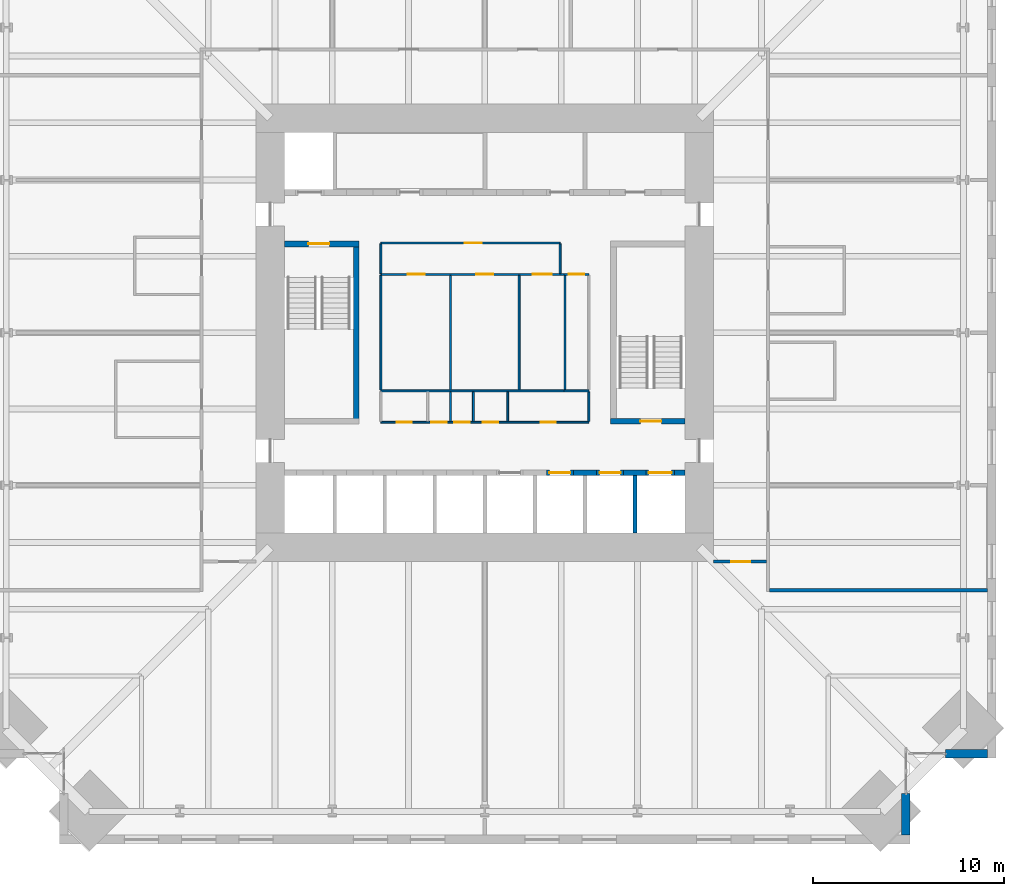
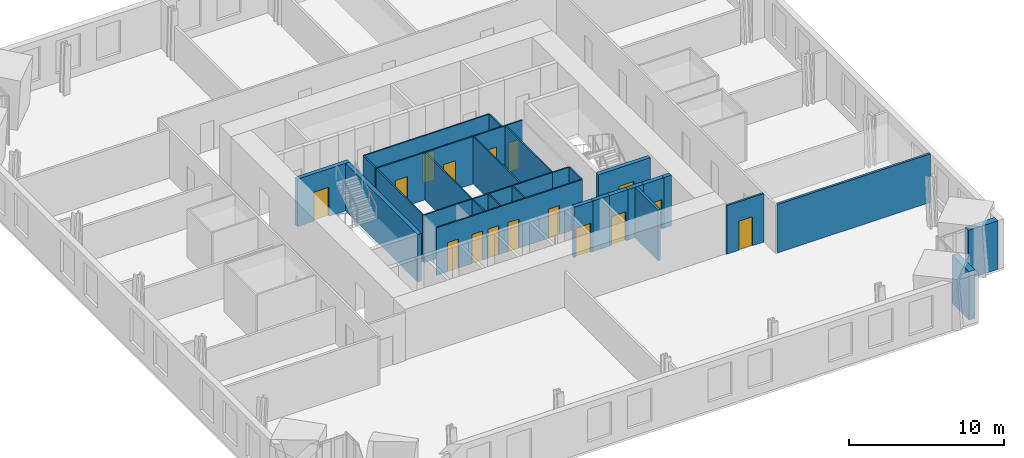
# One storey, part 13 of 17: 30 walls, 16 doors, 16 openings.
"""IFC4 building model written with IfcOpenShell, lengths in metres."""

from ifc_helpers import new_model, si_unit, direction, frame, frame_2d, origin, place, context, subcontext, project, spatial, rectangle, extrude, material, layer, layer_set, type_object, element, fill, save


model = new_model("IFC4")

# Units and contexts
model_context = context("Model", 3, precision=1e-05, world=origin(), true_north=direction((0.0, 1.0)))
body_context = subcontext(model_context, "Body", "Model", "MODEL_VIEW")
ifc_project = project(units=[si_unit("LENGTHUNIT", "METRE"), si_unit("AREAUNIT", "SQUARE_METRE"), si_unit("VOLUMEUNIT", "CUBIC_METRE"), si_unit("PLANEANGLEUNIT", "RADIAN"), si_unit("MASSUNIT", "GRAM", prefix="KILO")], contexts=[model_context])

# Site, building, storey
site_placement = place(None, origin())
site = spatial("IfcSite", under=ifc_project, at=site_placement, CompositionType="ELEMENT")
building_placement = place(site_placement, origin())
building = spatial("IfcBuilding", under=site, at=building_placement, Name="Peilmerk Tower", CompositionType="ELEMENT")
storey_placement = place(building_placement, frame((0.0, 0.0, 143.800048828125)))
storey = spatial("IfcBuildingStorey", under=building, at=storey_placement, Name="L29", CompositionType="ELEMENT", Elevation=143.800048828125)

# Walls
ifc_material_1 = material(Name="Precast concrete C45/55, board-marked finish", Category="concrete")
ifc_layer_1 = layer(ifc_material_1, 0.449951171875)
ifc_layer_set_1 = layer_set([ifc_layer_1], Name="Precast concrete C45/55, board-marked finish")
wall_type_1 = type_object("IfcWallType", Name="EW1 450 precast concrete facade wall, board-marked", PredefinedType="SOLIDWALL", material=ifc_layer_set_1)
for number, where, z_axis, x_axis, name in (
    (1, (22.074951171875, -24.153564453125, 0.0), (0.0, 0.0, 1.0), (0.0, -1.0, 0.0), "Facade wall SEA L29"),
    (2, (24.153564453125, -22.074951171875, 0.0), (0.0, 0.0, 1.0), (1.0, 0.0, 0.0), "Facade wall SEB L29"),
):
    element("IfcWall", number, at=place(storey_placement, frame(where, z_axis=z_axis, x_axis=x_axis)), inside=storey, type_object=wall_type_1, Name=name, PredefinedType="SOLIDWALL", context=body_context, shape_type="SweptSolid", body=[
        extrude(rectangle(XDim=2.196533203125, YDim=0.449951171875, at=frame_2d((1.09814453125, 0.0))), origin(), (0.0, 0.0, 1.0), 3.829833984375),
    ])

# Wall, opening, door
ifc_material_2 = material(Name="Calcium silicate block", Category="masonry")
ifc_layer_2 = layer(ifc_material_2, 0.14990234375)
ifc_layer_set_2 = layer_set([ifc_layer_2], Name="Calcium silicate block")
wall_type_2 = type_object("IfcWallType", Name="IW1 150 corridor partition, EI 60", PredefinedType="PARTITIONING", material=ifc_layer_set_2)
wall_1_placement = place(storey_placement, frame((14.77490234375, -12.0, 0.0), z_axis=(0.0, 0.0, 1.0), x_axis=(-1.0, 0.0, 0.0)))
wall_1 = element("IfcWall", 3, at=wall_1_placement, inside=storey, type_object=wall_type_2, Name="Corridor wall SE L29", PredefinedType="PARTITIONING", context=body_context, shape_type="SweptSolid", body=[
    extrude(rectangle(XDim=2.77490234375, YDim=0.14990234375, at=frame_2d((1.387451171875, 0.0))), origin(), (0.0, 0.0, 1.0), 3.829833984375),
])
opening_1_placement = place(wall_1_placement, frame((0.85009765625, 0.0, 0.0)))
opening_1 = element("IfcOpeningElement", 4, at=opening_1_placement, cuts=wall_1, Name="Opening D1", PredefinedType="OPENING", context=body_context, shape_type="SweptSolid", body=[
    extrude(rectangle(XDim=1.0, YDim=2.300048828125, at=frame_2d((0.5, 1.14990234375))), frame((0.0, 0.0849609375, 0.0), z_axis=(0.0, -1.0, 0.0), x_axis=(1.0, 0.0, 0.0)), (0.0, 0.0, 1.0), 0.169921875),
])
ifc_material_3 = material(Name="Timber door in steel frame", Category="steel")
door_type_1 = type_object("IfcDoorType", Name="D1 1000x2300 room door, EI2 30", OperationType="SINGLE_SWING_LEFT", PredefinedType="DOOR", material=ifc_material_3)
door_1_placement = place(opening_1_placement, origin())
door_1 = element("IfcDoor", 5, at=door_1_placement, inside=storey, type_object=door_type_1, Name="Door Team workspace L29", OperationType="SINGLE_SWING_LEFT", OverallHeight=2.300048828125, OverallWidth=1.0, PredefinedType="DOOR", context=body_context, shape_type="SweptSolid", body=[
    extrude(rectangle(XDim=1.0, YDim=2.300048828125, at=frame_2d((0.5, 1.14990234375))), frame((0.0, 0.02490234375, 0.0), z_axis=(0.0, -1.0, 0.0), x_axis=(1.0, 0.0, 0.0)), (0.0, 0.0, 1.0), 0.050048828125),
])
fill(opening_1, door_1)

# Wall
ifc_material_4 = material(Name="Concrete C35/45", Category="concrete")
ifc_layer_3 = layer(ifc_material_4, 0.300048828125)
ifc_layer_set_3 = layer_set([ifc_layer_3], Name="Concrete C35/45")
wall_type_3 = type_object("IfcWallType", Name="IW3 300 concrete stair enclosure wall, EI 120", PredefinedType="SOLIDWALL", material=ifc_layer_set_3)
wall_2_placement = place(storey_placement, frame((-6.75, -4.800048828125, 0.0), z_axis=(0.0, 0.0, 1.0), x_axis=(0.0, 1.0, 0.0)))
element("IfcWall", 6, at=wall_2_placement, inside=storey, type_object=wall_type_3, Name="Stair 1 enclosure L29", PredefinedType="SOLIDWALL", context=body_context, shape_type="SweptSolid", body=[
    extrude(rectangle(XDim=9.60009765625, YDim=0.300048828125, at=frame_2d((4.800048828125, 0.0))), origin(), (0.0, 0.0, 1.0), 3.75),
])

# Wall, opening, door
wall_3_placement = place(storey_placement, frame((-10.5, 4.64990234375, 0.0), z_axis=(0.0, 0.0, 1.0), x_axis=(1.0, 0.0, 0.0)))
wall_3 = element("IfcWall", 7, at=wall_3_placement, inside=storey, type_object=wall_type_3, Name="Stair 1 enclosure L29", PredefinedType="SOLIDWALL", context=body_context, shape_type="SweptSolid", body=[
    extrude(rectangle(XDim=3.89990234375, YDim=0.300048828125, at=frame_2d((1.949951171875, 0.0))), origin(), (0.0, 0.0, 1.0), 3.75),
])
opening_2_placement = place(wall_3_placement, frame((1.25, 0.0, 0.0)))
opening_2 = element("IfcOpeningElement", 8, at=opening_2_placement, cuts=wall_3, Name="Opening D4", PredefinedType="OPENING", context=body_context, shape_type="SweptSolid", body=[
    extrude(rectangle(XDim=1.10009765625, YDim=2.300048828125, at=frame_2d((0.550048828125, 1.14990234375))), frame((0.0, 0.159912109375, 0.0), z_axis=(0.0, -1.0, 0.0), x_axis=(1.0, 0.0, 0.0)), (0.0, 0.0, 1.0), 0.320068359375),
])
ifc_material_5 = material(Name="Steel door in steel frame", Category="steel")
door_type_2 = type_object("IfcDoorType", Name="D4 1100x2300 stair door, EI2 60", OperationType="SINGLE_SWING_RIGHT", PredefinedType="DOOR", material=ifc_material_5)
door_2_placement = place(opening_2_placement, frame((1.10009765625, 0.0, 0.0), z_axis=(0.0, 0.0, 1.0), x_axis=(-1.0, 0.0, 0.0)))
door_2 = element("IfcDoor", 9, at=door_2_placement, inside=storey, type_object=door_type_2, Name="Stair 1 door L29", OperationType="SINGLE_SWING_RIGHT", OverallHeight=2.300048828125, OverallWidth=1.10009765625, PredefinedType="DOOR", context=body_context, shape_type="SweptSolid", body=[
    extrude(rectangle(XDim=1.10009765625, YDim=2.300048828125, at=frame_2d((0.550048828125, 1.14990234375))), frame((0.0, 0.02490234375, 0.0), z_axis=(0.0, -1.0, 0.0), x_axis=(1.0, 0.0, 0.0)), (0.0, 0.0, 1.0), 0.050048828125),
])
fill(opening_2, door_2)

wall_4_placement = place(storey_placement, frame((10.5, -4.64990234375, 0.0), z_axis=(0.0, 0.0, 1.0), x_axis=(-1.0, 0.0, 0.0)))
wall_4 = element("IfcWall", 10, at=wall_4_placement, inside=storey, type_object=wall_type_3, Name="Stair 2 enclosure L29", PredefinedType="SOLIDWALL", context=body_context, shape_type="SweptSolid", body=[
    extrude(rectangle(XDim=3.89990234375, YDim=0.300048828125, at=frame_2d((1.949951171875, 0.0))), origin(), (0.0, 0.0, 1.0), 3.75),
])
opening_3_placement = place(wall_4_placement, frame((1.25, 0.0, 0.0)))
opening_3 = element("IfcOpeningElement", 11, at=opening_3_placement, cuts=wall_4, Name="Opening D4", PredefinedType="OPENING", context=body_context, shape_type="SweptSolid", body=[
    extrude(rectangle(XDim=1.10009765625, YDim=2.300048828125, at=frame_2d((0.550048828125, 1.14990234375))), frame((0.0, 0.159912109375, 0.0), z_axis=(0.0, -1.0, 0.0), x_axis=(1.0, 0.0, 0.0)), (0.0, 0.0, 1.0), 0.320068359375),
])
door_3_placement = place(opening_3_placement, frame((1.10009765625, 0.0, 0.0), z_axis=(0.0, 0.0, 1.0), x_axis=(-1.0, 0.0, 0.0)))
door_3 = element("IfcDoor", 12, at=door_3_placement, inside=storey, type_object=door_type_2, Name="Stair 2 door L29", OperationType="SINGLE_SWING_RIGHT", OverallHeight=2.300048828125, OverallWidth=1.10009765625, PredefinedType="DOOR", context=body_context, shape_type="SweptSolid", body=[
    extrude(rectangle(XDim=1.10009765625, YDim=2.300048828125, at=frame_2d((0.550048828125, 1.14990234375))), frame((0.0, 0.02490234375, 0.0), z_axis=(0.0, -1.0, 0.0), x_axis=(1.0, 0.0, 0.0)), (0.0, 0.0, 1.0), 0.050048828125),
])
fill(opening_3, door_3)

# Wall, openings, doors
ifc_material_6 = material(Name="Plasterboard on steel studs", Category="steel")
ifc_layer_4 = layer(ifc_material_6, 0.10009765625)
ifc_layer_set_4 = layer_set([ifc_layer_4], Name="Plasterboard on steel studs")
wall_type_4 = type_object("IfcWallType", Name="IW4 100 WC partition", PredefinedType="PARTITIONING", material=ifc_layer_set_4)
wall_5_placement = place(storey_placement, frame((-5.449951171875, 3.050048828125, 0.0), z_axis=(0.0, 0.0, 1.0), x_axis=(1.0, 0.0, 0.0)))
wall_5 = element("IfcWall", 13, at=wall_5_placement, inside=storey, type_object=wall_type_4, Name="WC wall L29", PredefinedType="PARTITIONING", context=body_context, shape_type="SweptSolid", body=[
    extrude(rectangle(XDim=9.599853515625, YDim=0.10009765625, at=frame_2d((4.7998046875, 0.0))), origin(), (0.0, 0.0, 1.0), 3.75),
])
opening_4_placement = place(wall_5_placement, frame((1.39990234375, 0.0, 0.0)))
opening_4 = element("IfcOpeningElement", 14, at=opening_4_placement, cuts=wall_5, Name="Opening D5", PredefinedType="OPENING", context=body_context, shape_type="SweptSolid", body=[
    extrude(rectangle(XDim=0.89990234375, YDim=2.300048828125, at=frame_2d((0.449951171875, 1.14990234375))), frame((0.0, 0.06005859375, 0.0), z_axis=(0.0, -1.0, 0.0), x_axis=(1.0, 0.0, 0.0)), (0.0, 0.0, 1.0), 0.1201171875),
])
opening_5_placement = place(wall_5_placement, frame((5.0, 0.0, 0.0)))
opening_5 = element("IfcOpeningElement", 15, at=opening_5_placement, cuts=wall_5, Name="Opening D5", PredefinedType="OPENING", context=body_context, shape_type="SweptSolid", body=[
    extrude(rectangle(XDim=0.89990234375, YDim=2.300048828125, at=frame_2d((0.449951171875, 1.14990234375))), frame((0.0, 0.06005859375, 0.0), z_axis=(0.0, -1.0, 0.0), x_axis=(1.0, 0.0, 0.0)), (0.0, 0.0, 1.0), 0.1201171875),
])
opening_6_placement = place(wall_5_placement, frame((7.949951171875, 0.0, 0.0)))
opening_6 = element("IfcOpeningElement", 16, at=opening_6_placement, cuts=wall_5, Name="Opening D6", PredefinedType="OPENING", context=body_context, shape_type="SweptSolid", body=[
    extrude(rectangle(XDim=1.0, YDim=2.300048828125, at=frame_2d((0.5, 1.14990234375))), frame((0.0, 0.06005859375, 0.0), z_axis=(0.0, -1.0, 0.0), x_axis=(1.0, 0.0, 0.0)), (0.0, 0.0, 1.0), 0.1201171875),
])
door_type_3 = type_object("IfcDoorType", Name="D5 900x2300 WC door", OperationType="SINGLE_SWING_LEFT", PredefinedType="DOOR", material=ifc_material_3)
door_4_placement = place(opening_4_placement, frame((0.89990234375, 0.0, 0.0), z_axis=(0.0, 0.0, 1.0), x_axis=(-1.0, 0.0, 0.0)))
door_4 = element("IfcDoor", 17, at=door_4_placement, inside=storey, type_object=door_type_3, Name="Male toilets door L29", OperationType="SINGLE_SWING_LEFT", OverallHeight=2.300048828125, OverallWidth=0.89990234375, PredefinedType="DOOR", context=body_context, shape_type="SweptSolid", body=[
    extrude(rectangle(XDim=0.89990234375, YDim=2.300048828125, at=frame_2d((0.449951171875, 1.14990234375))), frame((0.0, 0.02490234375, 0.0), z_axis=(0.0, -1.0, 0.0), x_axis=(1.0, 0.0, 0.0)), (0.0, 0.0, 1.0), 0.050048828125),
])
fill(opening_4, door_4)
door_5_placement = place(opening_5_placement, frame((0.89990234375, 0.0, 0.0), z_axis=(0.0, 0.0, 1.0), x_axis=(-1.0, 0.0, 0.0)))
door_5 = element("IfcDoor", 18, at=door_5_placement, inside=storey, type_object=door_type_3, Name="Female toilets door L29", OperationType="SINGLE_SWING_LEFT", OverallHeight=2.300048828125, OverallWidth=0.89990234375, PredefinedType="DOOR", context=body_context, shape_type="SweptSolid", body=[
    extrude(rectangle(XDim=0.89990234375, YDim=2.300048828125, at=frame_2d((0.449951171875, 1.14990234375))), frame((0.0, 0.02490234375, 0.0), z_axis=(0.0, -1.0, 0.0), x_axis=(1.0, 0.0, 0.0)), (0.0, 0.0, 1.0), 0.050048828125),
])
fill(opening_5, door_5)
door_type_4 = type_object("IfcDoorType", Name="D6 1000x2300 accessible WC door", OperationType="SLIDING_TO_LEFT", PredefinedType="DOOR", material=ifc_material_3)
door_6_placement = place(opening_6_placement, frame((1.0, 0.0, 0.0), z_axis=(0.0, 0.0, 1.0), x_axis=(-1.0, 0.0, 0.0)))
door_6 = element("IfcDoor", 19, at=door_6_placement, inside=storey, type_object=door_type_4, Name="Accessible WC door L29", OperationType="SLIDING_TO_LEFT", OverallHeight=2.300048828125, OverallWidth=1.0, PredefinedType="DOOR", context=body_context, shape_type="SweptSolid", body=[
    extrude(rectangle(XDim=1.0, YDim=2.300048828125, at=frame_2d((0.5, 1.14990234375))), frame((0.0, 0.02490234375, 0.0), z_axis=(0.0, -1.0, 0.0), x_axis=(1.0, 0.0, 0.0)), (0.0, 0.0, 1.0), 0.050048828125),
])
fill(opening_6, door_6)

# Walls
wall_6_placement = place(storey_placement, frame((4.14990234375, -3.050048828125, 0.0), z_axis=(0.0, 0.0, 1.0), x_axis=(-1.0, 0.0, 0.0)))
element("IfcWall", 20, at=wall_6_placement, inside=storey, type_object=wall_type_4, Name="WC wall L29", PredefinedType="PARTITIONING", context=body_context, shape_type="SweptSolid", body=[
    extrude(rectangle(XDim=9.599853515625, YDim=0.10009765625, at=frame_2d((4.7998046875, 0.0))), origin(), (0.0, 0.0, 1.0), 3.75),
])
for number, where, z_axis, x_axis, name in (
    (21, (-5.449951171875, -3.0, 0.0), (0.0, 0.0, 1.0), (0.0, 1.0, 0.0), "WC wall L29"),
    (22, (-1.800048828125, -3.0, 0.0), (0.0, 0.0, 1.0), (0.0, 1.0, 0.0), "WC wall L29"),
    (23, (1.800048828125, -3.0, 0.0), (0.0, 0.0, 1.0), (0.0, 1.0, 0.0), "WC wall L29"),
):
    element("IfcWall", number, at=place(storey_placement, frame(where, z_axis=z_axis, x_axis=x_axis)), inside=storey, type_object=wall_type_4, Name=name, PredefinedType="PARTITIONING", context=body_context, shape_type="SweptSolid", body=[
        extrude(rectangle(XDim=6.0, YDim=0.10009765625, at=frame_2d((3.0, 0.0))), origin(), (0.0, 0.0, 1.0), 3.75),
    ])

# Wall, opening, door
ifc_material_7 = material(Name="Calcium silicate board on steel studs", Category="steel")
ifc_layer_5 = layer(ifc_material_7, 0.10009765625)
ifc_layer_set_5 = layer_set([ifc_layer_5], Name="Calcium silicate board on steel studs")
wall_type_5 = type_object("IfcWallType", Name="IW5 100 riser enclosure wall, EI 60", PredefinedType="PARTITIONING", material=ifc_layer_set_5)
wall_7_placement = place(storey_placement, frame((4.14990234375, 3.050048828125, 0.0), z_axis=(0.0, 0.0, 1.0), x_axis=(1.0, 0.0, 0.0)))
wall_7 = element("IfcWall", 24, at=wall_7_placement, inside=storey, type_object=wall_type_5, Name="Riser wall L29", PredefinedType="PARTITIONING", context=body_context, shape_type="SweptSolid", body=[
    extrude(rectangle(XDim=1.300048828125, YDim=0.10009765625, at=frame_2d((0.64990234375, 0.0))), origin(), (0.0, 0.0, 1.0), 3.75),
])
opening_7_placement = place(wall_7_placement, frame((0.25, 0.0, 0.0)))
opening_7 = element("IfcOpeningElement", 25, at=opening_7_placement, cuts=wall_7, Name="Opening D7", PredefinedType="OPENING", context=body_context, shape_type="SweptSolid", body=[
    extrude(rectangle(XDim=0.800048828125, YDim=2.300048828125, at=frame_2d((0.39990234375, 1.14990234375))), frame((0.0, 0.06005859375, 0.0), z_axis=(0.0, -1.0, 0.0), x_axis=(1.0, 0.0, 0.0)), (0.0, 0.0, 1.0), 0.1201171875),
])
door_type_5 = type_object("IfcDoorType", Name="D7 800x2300 riser access door, EI2 60", OperationType="SINGLE_SWING_RIGHT", PredefinedType="DOOR", material=ifc_material_5)
door_7_placement = place(opening_7_placement, frame((0.800048828125, 0.0, 0.0), z_axis=(0.0, 0.0, 1.0), x_axis=(-1.0, 0.0, 0.0)))
door_7 = element("IfcDoor", 26, at=door_7_placement, inside=storey, type_object=door_type_5, Name="Plumbing riser door L29", OperationType="SINGLE_SWING_RIGHT", OverallHeight=2.300048828125, OverallWidth=0.800048828125, PredefinedType="DOOR", context=body_context, shape_type="SweptSolid", body=[
    extrude(rectangle(XDim=0.800048828125, YDim=2.300048828125, at=frame_2d((0.39990234375, 1.14990234375))), frame((0.0, 0.02490234375, 0.0), z_axis=(0.0, -1.0, 0.0), x_axis=(1.0, 0.0, 0.0)), (0.0, 0.0, 1.0), 0.050048828125),
])
fill(opening_7, door_7)

# Walls
wall_8_placement = place(storey_placement, frame((5.449951171875, -3.050048828125, 0.0), z_axis=(0.0, 0.0, 1.0), x_axis=(-1.0, 0.0, 0.0)))
element("IfcWall", 27, at=wall_8_placement, inside=storey, type_object=wall_type_5, Name="Riser wall L29", PredefinedType="PARTITIONING", context=body_context, shape_type="SweptSolid", body=[
    extrude(rectangle(XDim=1.300048828125, YDim=0.10009765625, at=frame_2d((0.64990234375, 0.0))), origin(), (0.0, 0.0, 1.0), 3.75),
])
wall_9_placement = place(storey_placement, frame((4.199951171875, -3.0, 0.0), z_axis=(0.0, 0.0, 1.0), x_axis=(0.0, 1.0, 0.0)))
element("IfcWall", 28, at=wall_9_placement, inside=storey, type_object=wall_type_5, Name="Riser wall L29", PredefinedType="PARTITIONING", context=body_context, shape_type="SweptSolid", body=[
    extrude(rectangle(XDim=6.0, YDim=0.10009765625, at=frame_2d((3.0, 0.0))), origin(), (0.0, 0.0, 1.0), 3.75),
])

# Wall, openings, doors
wall_10_placement = place(storey_placement, frame((5.449951171875, -4.699951171875, 0.0), z_axis=(0.0, 0.0, 1.0), x_axis=(-1.0, 0.0, 0.0)))
wall_10 = element("IfcWall", 29, at=wall_10_placement, inside=storey, type_object=wall_type_5, Name="Riser wall L29", PredefinedType="PARTITIONING", context=body_context, shape_type="SweptSolid", body=[
    extrude(rectangle(XDim=10.89990234375, YDim=0.10009765625, at=frame_2d((5.449951171875, 0.0))), origin(), (0.0, 0.0, 1.0), 3.75),
])
opening_8_placement = place(wall_10_placement, frame((9.27490234375, 0.0, 0.0)))
opening_8 = element("IfcOpeningElement", 30, at=opening_8_placement, cuts=wall_10, Name="Opening D7", PredefinedType="OPENING", context=body_context, shape_type="SweptSolid", body=[
    extrude(rectangle(XDim=0.800048828125, YDim=2.300048828125, at=frame_2d((0.39990234375, 1.14990234375))), frame((0.0, 0.06005859375, 0.0), z_axis=(0.0, -1.0, 0.0), x_axis=(1.0, 0.0, 0.0)), (0.0, 0.0, 1.0), 0.1201171875),
])
opening_9_placement = place(wall_10_placement, frame((7.449951171875, 0.0, 0.0)))
opening_9 = element("IfcOpeningElement", 31, at=opening_9_placement, cuts=wall_10, Name="Opening D7", PredefinedType="OPENING", context=body_context, shape_type="SweptSolid", body=[
    extrude(rectangle(XDim=0.800048828125, YDim=2.300048828125, at=frame_2d((0.39990234375, 1.14990234375))), frame((0.0, 0.06005859375, 0.0), z_axis=(0.0, -1.0, 0.0), x_axis=(1.0, 0.0, 0.0)), (0.0, 0.0, 1.0), 0.1201171875),
])
opening_10_placement = place(wall_10_placement, frame((6.25, 0.0, 0.0)))
opening_10 = element("IfcOpeningElement", 32, at=opening_10_placement, cuts=wall_10, Name="Opening D7", PredefinedType="OPENING", context=body_context, shape_type="SweptSolid", body=[
    extrude(rectangle(XDim=0.800048828125, YDim=2.300048828125, at=frame_2d((0.39990234375, 1.14990234375))), frame((0.0, 0.06005859375, 0.0), z_axis=(0.0, -1.0, 0.0), x_axis=(1.0, 0.0, 0.0)), (0.0, 0.0, 1.0), 0.1201171875),
])
opening_11_placement = place(wall_10_placement, frame((4.75, 0.0, 0.0)))
opening_11 = element("IfcOpeningElement", 33, at=opening_11_placement, cuts=wall_10, Name="Opening D7", PredefinedType="OPENING", context=body_context, shape_type="SweptSolid", body=[
    extrude(rectangle(XDim=0.800048828125, YDim=2.300048828125, at=frame_2d((0.39990234375, 1.14990234375))), frame((0.0, 0.06005859375, 0.0), z_axis=(0.0, -1.0, 0.0), x_axis=(1.0, 0.0, 0.0)), (0.0, 0.0, 1.0), 0.1201171875),
])
opening_12_placement = place(wall_10_placement, frame((1.72509765625, 0.0, 0.0)))
opening_12 = element("IfcOpeningElement", 34, at=opening_12_placement, cuts=wall_10, Name="Opening D7", PredefinedType="OPENING", context=body_context, shape_type="SweptSolid", body=[
    extrude(rectangle(XDim=0.800048828125, YDim=2.300048828125, at=frame_2d((0.39990234375, 1.14990234375))), frame((0.0, 0.06005859375, 0.0), z_axis=(0.0, -1.0, 0.0), x_axis=(1.0, 0.0, 0.0)), (0.0, 0.0, 1.0), 0.1201171875),
])
door_8_placement = place(opening_8_placement, frame((0.800048828125, 0.0, 0.0), z_axis=(0.0, 0.0, 1.0), x_axis=(-1.0, 0.0, 0.0)))
door_8 = element("IfcDoor", 35, at=door_8_placement, inside=storey, type_object=door_type_5, Name="Electrical room door L29", OperationType="SINGLE_SWING_RIGHT", OverallHeight=2.300048828125, OverallWidth=0.800048828125, PredefinedType="DOOR", context=body_context, shape_type="SweptSolid", body=[
    extrude(rectangle(XDim=0.800048828125, YDim=2.300048828125, at=frame_2d((0.39990234375, 1.14990234375))), frame((0.0, 0.02490234375, 0.0), z_axis=(0.0, -1.0, 0.0), x_axis=(1.0, 0.0, 0.0)), (0.0, 0.0, 1.0), 0.050048828125),
])
fill(opening_8, door_8)
door_9_placement = place(opening_9_placement, frame((0.800048828125, 0.0, 0.0), z_axis=(0.0, 0.0, 1.0), x_axis=(-1.0, 0.0, 0.0)))
door_9 = element("IfcDoor", 36, at=door_9_placement, inside=storey, type_object=door_type_5, Name="Electrical riser door L29", OperationType="SINGLE_SWING_RIGHT", OverallHeight=2.300048828125, OverallWidth=0.800048828125, PredefinedType="DOOR", context=body_context, shape_type="SweptSolid", body=[
    extrude(rectangle(XDim=0.800048828125, YDim=2.300048828125, at=frame_2d((0.39990234375, 1.14990234375))), frame((0.0, 0.02490234375, 0.0), z_axis=(0.0, -1.0, 0.0), x_axis=(1.0, 0.0, 0.0)), (0.0, 0.0, 1.0), 0.050048828125),
])
fill(opening_9, door_9)
door_10_placement = place(opening_10_placement, frame((0.800048828125, 0.0, 0.0), z_axis=(0.0, 0.0, 1.0), x_axis=(-1.0, 0.0, 0.0)))
door_10 = element("IfcDoor", 37, at=door_10_placement, inside=storey, type_object=door_type_5, Name="Data riser door L29", OperationType="SINGLE_SWING_RIGHT", OverallHeight=2.300048828125, OverallWidth=0.800048828125, PredefinedType="DOOR", context=body_context, shape_type="SweptSolid", body=[
    extrude(rectangle(XDim=0.800048828125, YDim=2.300048828125, at=frame_2d((0.39990234375, 1.14990234375))), frame((0.0, 0.02490234375, 0.0), z_axis=(0.0, -1.0, 0.0), x_axis=(1.0, 0.0, 0.0)), (0.0, 0.0, 1.0), 0.050048828125),
])
fill(opening_10, door_10)
door_11_placement = place(opening_11_placement, frame((0.800048828125, 0.0, 0.0), z_axis=(0.0, 0.0, 1.0), x_axis=(-1.0, 0.0, 0.0)))
door_11 = element("IfcDoor", 38, at=door_11_placement, inside=storey, type_object=door_type_5, Name="Cleaner's cupboard door L29", OperationType="SINGLE_SWING_RIGHT", OverallHeight=2.300048828125, OverallWidth=0.800048828125, PredefinedType="DOOR", context=body_context, shape_type="SweptSolid", body=[
    extrude(rectangle(XDim=0.800048828125, YDim=2.300048828125, at=frame_2d((0.39990234375, 1.14990234375))), frame((0.0, 0.02490234375, 0.0), z_axis=(0.0, -1.0, 0.0), x_axis=(1.0, 0.0, 0.0)), (0.0, 0.0, 1.0), 0.050048828125),
])
fill(opening_11, door_11)
door_12_placement = place(opening_12_placement, frame((0.800048828125, 0.0, 0.0), z_axis=(0.0, 0.0, 1.0), x_axis=(-1.0, 0.0, 0.0)))
door_12 = element("IfcDoor", 39, at=door_12_placement, inside=storey, type_object=door_type_5, Name="Comms room door L29", OperationType="SINGLE_SWING_RIGHT", OverallHeight=2.300048828125, OverallWidth=0.800048828125, PredefinedType="DOOR", context=body_context, shape_type="SweptSolid", body=[
    extrude(rectangle(XDim=0.800048828125, YDim=2.300048828125, at=frame_2d((0.39990234375, 1.14990234375))), frame((0.0, 0.02490234375, 0.0), z_axis=(0.0, -1.0, 0.0), x_axis=(1.0, 0.0, 0.0)), (0.0, 0.0, 1.0), 0.050048828125),
])
fill(opening_12, door_12)

# Walls
for number, where, z_axis, x_axis, name in (
    (40, (5.449951171875, -3.10009765625, 0.0), (0.0, 0.0, 1.0), (0.0, -1.0, 0.0), "Riser wall L29"),
    (41, (-1.800048828125, -3.10009765625, 0.0), (0.0, 0.0, 1.0), (0.0, -1.0, 0.0), "Riser wall L29"),
    (42, (-0.60009765625, -3.10009765625, 0.0), (0.0, 0.0, 1.0), (0.0, -1.0, 0.0), "Riser wall L29"),
    (43, (1.199951171875, -3.10009765625, 0.0), (0.0, 0.0, 1.0), (0.0, -1.0, 0.0), "Riser wall L29"),
):
    element("IfcWall", number, at=place(storey_placement, frame(where, z_axis=z_axis, x_axis=x_axis)), inside=storey, type_object=wall_type_5, Name=name, PredefinedType="PARTITIONING", context=body_context, shape_type="SweptSolid", body=[
        extrude(rectangle(XDim=1.5498046875, YDim=0.10009765625, at=frame_2d((0.77490234375, 0.0))), origin(), (0.0, 0.0, 1.0), 3.75),
    ])
ifc_layer_6 = layer(ifc_material_2, 0.175048828125)
ifc_layer_set_6 = layer_set([ifc_layer_6], Name="Calcium silicate block")
wall_type_6 = type_object("IfcWallType", Name="IW8 175 tenant separating wall, EI 60", PredefinedType="PARTITIONING", material=ifc_layer_set_6)
wall_11_placement = place(storey_placement, frame((26.35009765625, -13.5, 0.0), z_axis=(0.0, 0.0, 1.0), x_axis=(-1.0, 0.0, 0.0)))
element("IfcWall", 44, at=wall_11_placement, inside=storey, type_object=wall_type_6, Name="Tenant separating wall SE L29", PredefinedType="PARTITIONING", context=body_context, shape_type="SweptSolid", body=[
    extrude(rectangle(XDim=11.425048828125, YDim=0.175048828125, at=frame_2d((5.71240234375, 0.0))), origin(), (0.0, 0.0, 1.0), 3.829833984375),
])

# Wall, opening, door
ifc_material_8 = material(Name="Fire-resisting plasterboard on steel studs", Category="steel")
ifc_layer_7 = layer(ifc_material_8, 0.10009765625)
ifc_layer_set_7 = layer_set([ifc_layer_7], Name="Fire-resisting plasterboard on steel studs")
wall_type_7 = type_object("IfcWallType", Name="IW9 100 WC lobby wall, EI 30", PredefinedType="PARTITIONING", material=ifc_layer_set_7)
wall_12_placement = place(storey_placement, frame((-5.449951171875, 4.699951171875, 0.0), z_axis=(0.0, 0.0, 1.0), x_axis=(1.0, 0.0, 0.0)))
wall_12 = element("IfcWall", 45, at=wall_12_placement, inside=storey, type_object=wall_type_7, Name="WC lobby wall L29", PredefinedType="PARTITIONING", context=body_context, shape_type="SweptSolid", body=[
    extrude(rectangle(XDim=9.39990234375, YDim=0.10009765625, at=frame_2d((4.699951171875, 0.0))), origin(), (0.0, 0.0, 1.0), 3.75),
])
opening_13_placement = place(wall_12_placement, frame((4.39990234375, 0.0, 0.0)))
opening_13 = element("IfcOpeningElement", 46, at=opening_13_placement, cuts=wall_12, Name="Opening D11", PredefinedType="OPENING", context=body_context, shape_type="SweptSolid", body=[
    extrude(rectangle(XDim=0.89990234375, YDim=2.300048828125, at=frame_2d((0.449951171875, 1.14990234375))), frame((0.0, 0.06005859375, 0.0), z_axis=(0.0, -1.0, 0.0), x_axis=(1.0, 0.0, 0.0)), (0.0, 0.0, 1.0), 0.1201171875),
])
door_type_6 = type_object("IfcDoorType", Name="D11 900x2300 WC lobby door, EI2 30", OperationType="SINGLE_SWING_LEFT", PredefinedType="DOOR", material=ifc_material_3)
door_13_placement = place(opening_13_placement, frame((0.89990234375, 0.0, 0.0), z_axis=(0.0, 0.0, 1.0), x_axis=(-1.0, 0.0, 0.0)))
door_13 = element("IfcDoor", 47, at=door_13_placement, inside=storey, type_object=door_type_6, Name="WC lobby door L29", OperationType="SINGLE_SWING_LEFT", OverallHeight=2.300048828125, OverallWidth=0.89990234375, PredefinedType="DOOR", context=body_context, shape_type="SweptSolid", body=[
    extrude(rectangle(XDim=0.89990234375, YDim=2.300048828125, at=frame_2d((0.449951171875, 1.14990234375))), frame((0.0, 0.02490234375, 0.0), z_axis=(0.0, -1.0, 0.0), x_axis=(1.0, 0.0, 0.0)), (0.0, 0.0, 1.0), 0.050048828125),
])
fill(opening_13, door_13)

# Walls
for number, where, z_axis, x_axis, name in (
    (48, (-5.449951171875, 3.10009765625, 0.0), (0.0, 0.0, 1.0), (0.0, 1.0, 0.0), "WC lobby wall L29"),
    (49, (3.949951171875, 3.10009765625, 0.0), (0.0, 0.0, 1.0), (0.0, 1.0, 0.0), "WC lobby wall L29"),
):
    element("IfcWall", number, at=place(storey_placement, frame(where, z_axis=z_axis, x_axis=x_axis)), inside=storey, type_object=wall_type_7, Name=name, PredefinedType="PARTITIONING", context=body_context, shape_type="SweptSolid", body=[
        extrude(rectangle(XDim=1.5498046875, YDim=0.10009765625, at=frame_2d((0.77490234375, 0.0))), origin(), (0.0, 0.0, 1.0), 3.75),
    ])
ifc_layer_8 = layer(ifc_material_2, 0.199951171875)
ifc_layer_set_8 = layer_set([ifc_layer_8], Name="Calcium silicate block")
wall_type_8 = type_object("IfcWallType", Name="SH1 200 shaft dividing wall, EI 120", PredefinedType="PARTITIONING", material=ifc_layer_set_8)
wall_13_placement = place(storey_placement, frame((7.875, -10.5, 0.0), z_axis=(0.0, 0.0, 1.0), x_axis=(0.0, 1.0, 0.0)))
element("IfcWall", 50, at=wall_13_placement, inside=storey, type_object=wall_type_8, Name="Shaft wall S B1 L29", PredefinedType="PARTITIONING", context=body_context, shape_type="SweptSolid", body=[
    extrude(rectangle(XDim=3.0, YDim=0.199951171875, at=frame_2d((1.5, 0.0))), origin(), (0.0, 0.0, 1.0), 4.0),
])

# Wall, opening, door
ifc_layer_9 = layer(ifc_material_2, 0.300048828125)
ifc_layer_set_9 = layer_set([ifc_layer_9], Name="Calcium silicate block")
wall_type_9 = type_object("IfcWallType", Name="SH2 300 lift landing door panel, EI 120", PredefinedType="PARTITIONING", material=ifc_layer_set_9)
wall_14_placement = place(storey_placement, frame((3.237548828125, -7.35009765625, 0.0), z_axis=(0.0, 0.0, 1.0), x_axis=(1.0, 0.0, 0.0)))
wall_14 = element("IfcWall", 51, at=wall_14_placement, inside=storey, type_object=wall_type_9, Name="Lift door panel S B2 L29", PredefinedType="PARTITIONING", context=body_context, shape_type="SweptSolid", body=[
    extrude(rectangle(XDim=1.39990234375, YDim=0.300048828125, at=frame_2d((0.699951171875, 0.0))), origin(), (0.0, 0.0, 1.0), 4.0),
])
opening_14_placement = place(wall_14_placement, frame((0.14990234375, 0.0, 0.0)))
opening_14 = element("IfcOpeningElement", 52, at=opening_14_placement, cuts=wall_14, Name="Opening LD1", PredefinedType="OPENING", context=body_context, shape_type="SweptSolid", body=[
    extrude(rectangle(XDim=1.10009765625, YDim=2.300048828125, at=frame_2d((0.550048828125, 1.14990234375))), frame((0.0, 0.159912109375, 0.0), z_axis=(0.0, -1.0, 0.0), x_axis=(1.0, 0.0, 0.0)), (0.0, 0.0, 1.0), 0.320068359375),
])
ifc_material_9 = material(Name="Stainless steel landing door", Category="steel")
door_type_7 = type_object("IfcDoorType", Name="LD1 1100x2300 lift landing door, sliding, EI2 60", OperationType="SLIDING_TO_LEFT", PredefinedType="DOOR", material=ifc_material_9)
door_14_placement = place(opening_14_placement, origin())
door_14 = element("IfcDoor", 53, at=door_14_placement, inside=storey, type_object=door_type_7, Name="Lift landing door B2 L29", OperationType="SLIDING_TO_LEFT", OverallHeight=2.300048828125, OverallWidth=1.10009765625, PredefinedType="DOOR", context=body_context, shape_type="SweptSolid", body=[
    extrude(rectangle(XDim=1.10009765625, YDim=2.300048828125, at=frame_2d((0.550048828125, 1.14990234375))), frame((0.0, 0.02490234375, 0.0), z_axis=(0.0, -1.0, 0.0), x_axis=(1.0, 0.0, 0.0)), (0.0, 0.0, 1.0), 0.050048828125),
])
fill(opening_14, door_14)

wall_15_placement = place(storey_placement, frame((5.862548828125, -7.35009765625, 0.0), z_axis=(0.0, 0.0, 1.0), x_axis=(1.0, 0.0, 0.0)))
wall_15 = element("IfcWall", 54, at=wall_15_placement, inside=storey, type_object=wall_type_9, Name="Lift door panel S B1 L29", PredefinedType="PARTITIONING", context=body_context, shape_type="SweptSolid", body=[
    extrude(rectangle(XDim=1.39990234375, YDim=0.300048828125, at=frame_2d((0.699951171875, 0.0))), origin(), (0.0, 0.0, 1.0), 4.0),
])
opening_15_placement = place(wall_15_placement, frame((0.14990234375, 0.0, 0.0)))
opening_15 = element("IfcOpeningElement", 55, at=opening_15_placement, cuts=wall_15, Name="Opening LD1", PredefinedType="OPENING", context=body_context, shape_type="SweptSolid", body=[
    extrude(rectangle(XDim=1.10009765625, YDim=2.300048828125, at=frame_2d((0.550048828125, 1.14990234375))), frame((0.0, 0.159912109375, 0.0), z_axis=(0.0, -1.0, 0.0), x_axis=(1.0, 0.0, 0.0)), (0.0, 0.0, 1.0), 0.320068359375),
])
door_15_placement = place(opening_15_placement, origin())
door_15 = element("IfcDoor", 56, at=door_15_placement, inside=storey, type_object=door_type_7, Name="Lift landing door B1 L29", OperationType="SLIDING_TO_LEFT", OverallHeight=2.300048828125, OverallWidth=1.10009765625, PredefinedType="DOOR", context=body_context, shape_type="SweptSolid", body=[
    extrude(rectangle(XDim=1.10009765625, YDim=2.300048828125, at=frame_2d((0.550048828125, 1.14990234375))), frame((0.0, 0.02490234375, 0.0), z_axis=(0.0, -1.0, 0.0), x_axis=(1.0, 0.0, 0.0)), (0.0, 0.0, 1.0), 0.050048828125),
])
fill(opening_15, door_15)

wall_16_placement = place(storey_placement, frame((8.4375, -7.35009765625, 0.0), z_axis=(0.0, 0.0, 1.0), x_axis=(1.0, 0.0, 0.0)))
wall_16 = element("IfcWall", 57, at=wall_16_placement, inside=storey, type_object=wall_type_9, Name="Lift door panel S FL2 L29", PredefinedType="PARTITIONING", context=body_context, shape_type="SweptSolid", body=[
    extrude(rectangle(XDim=1.5, YDim=0.300048828125, at=frame_2d((0.75, 0.0))), origin(), (0.0, 0.0, 1.0), 4.0),
])
opening_16_placement = place(wall_16_placement, frame((0.14990234375, 0.0, 0.0)))
opening_16 = element("IfcOpeningElement", 58, at=opening_16_placement, cuts=wall_16, Name="Opening LD2", PredefinedType="OPENING", context=body_context, shape_type="SweptSolid", body=[
    extrude(rectangle(XDim=1.199951171875, YDim=2.300048828125, at=frame_2d((0.60009765625, 1.14990234375))), frame((0.0, 0.159912109375, 0.0), z_axis=(0.0, -1.0, 0.0), x_axis=(1.0, 0.0, 0.0)), (0.0, 0.0, 1.0), 0.320068359375),
])
door_type_8 = type_object("IfcDoorType", Name="LD2 1200x2300 lift landing door, sliding, EI2 60", OperationType="SLIDING_TO_LEFT", PredefinedType="DOOR", material=ifc_material_9)
door_16_placement = place(opening_16_placement, origin())
door_16 = element("IfcDoor", 59, at=door_16_placement, inside=storey, type_object=door_type_8, Name="Lift landing door FL2 L29", OperationType="SLIDING_TO_LEFT", OverallHeight=2.300048828125, OverallWidth=1.199951171875, PredefinedType="DOOR", context=body_context, shape_type="SweptSolid", body=[
    extrude(rectangle(XDim=1.199951171875, YDim=2.300048828125, at=frame_2d((0.60009765625, 1.14990234375))), frame((0.0, 0.02490234375, 0.0), z_axis=(0.0, -1.0, 0.0), x_axis=(1.0, 0.0, 0.0)), (0.0, 0.0, 1.0), 0.050048828125),
])
fill(opening_16, door_16)

# Walls
ifc_material_10 = material(Name="Concrete C55/67", Category="concrete")
ifc_layer_10 = layer(ifc_material_10, 0.300048828125)
ifc_layer_set_10 = layer_set([ifc_layer_10], Name="Concrete C55/67")
wall_type_10 = type_object("IfcWallType", Name="SW2 300 lift bank pier", PredefinedType="SHEAR", material=ifc_layer_set_10)
wall_17_placement = place(storey_placement, frame((4.637451171875, -7.35009765625, 0.0), z_axis=(0.0, 0.0, 1.0), x_axis=(1.0, 0.0, 0.0)))
element("IfcWall", 60, at=wall_17_placement, inside=storey, type_object=wall_type_10, Name="Lift bank pier S L29", PredefinedType="SHEAR", context=body_context, shape_type="SweptSolid", body=[
    extrude(rectangle(XDim=1.22509765625, YDim=0.300048828125, at=frame_2d((0.612548828125, 0.0))), origin(), (0.0, 0.0, 1.0), 4.0),
])
wall_18_placement = place(storey_placement, frame((7.262451171875, -7.35009765625, 0.0), z_axis=(0.0, 0.0, 1.0), x_axis=(1.0, 0.0, 0.0)))
element("IfcWall", 61, at=wall_18_placement, inside=storey, type_object=wall_type_10, Name="Lift bank pier S L29", PredefinedType="SHEAR", context=body_context, shape_type="SweptSolid", body=[
    extrude(rectangle(XDim=1.175048828125, YDim=0.300048828125, at=frame_2d((0.58740234375, 0.0))), origin(), (0.0, 0.0, 1.0), 4.0),
])
wall_19_placement = place(storey_placement, frame((9.9375, -7.35009765625, 0.0), z_axis=(0.0, 0.0, 1.0), x_axis=(1.0, 0.0, 0.0)))
element("IfcWall", 62, at=wall_19_placement, inside=storey, type_object=wall_type_10, Name="Lift bank pier S L29", PredefinedType="SHEAR", context=body_context, shape_type="SweptSolid", body=[
    extrude(rectangle(XDim=0.5625, YDim=0.300048828125, at=frame_2d((0.28125, 0.0))), origin(), (0.0, 0.0, 1.0), 4.0),
])

save(model, "model.ifc")
